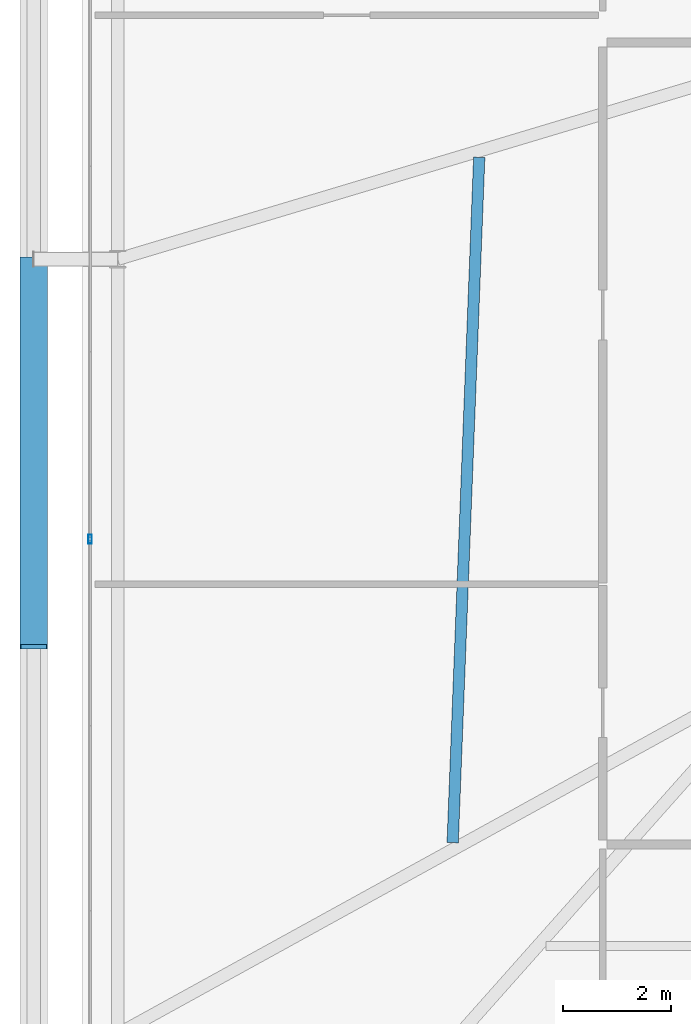
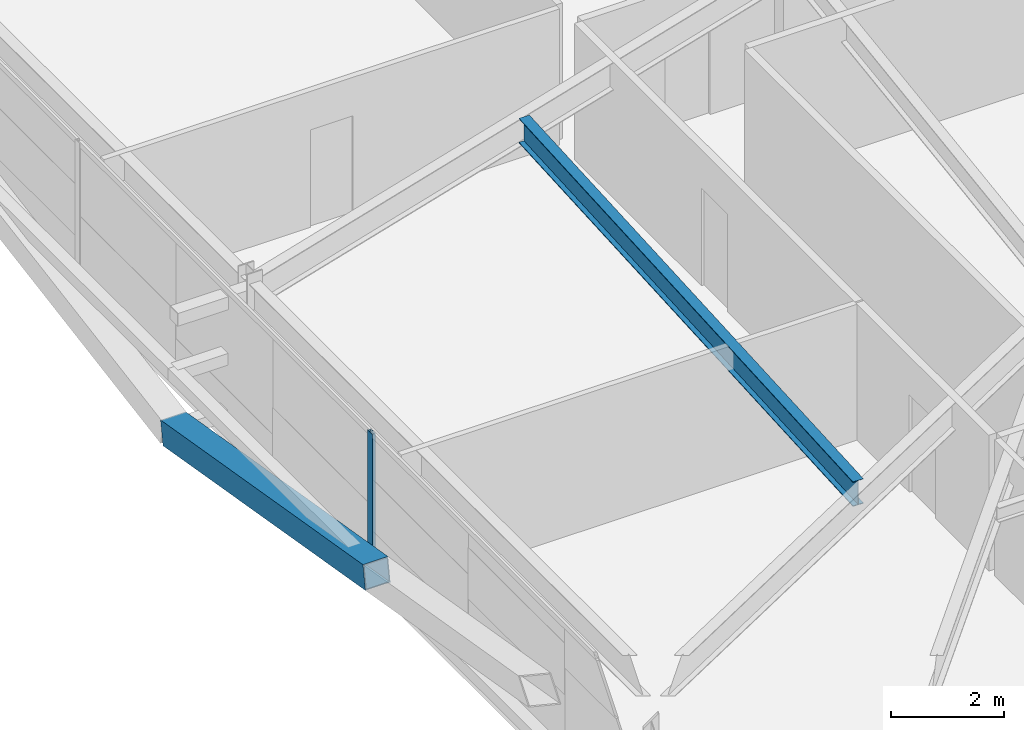
# One storey, part 8 of 44: 2 members, 1 beam, 1 element without a shape of its own.
"""IFC4 building model written with IfcOpenShell, lengths in metres."""

from ifc_helpers import new_model, si_unit, direction, frame, origin, origin_2d, place, context, subcontext, project, spatial, hollow_rectangle, i_section, extrude, source, transform, mapped, material, layer, layer_set, material_profile, profile_set, type_object, element, aggregate, save


model = new_model("IFC4")

# Units and contexts
model_context = context("Model", 3, precision=1e-05, world=origin(), true_north=direction((0.0, 1.0)))
body_context = subcontext(model_context, "Body", "Model", "MODEL_VIEW")
ifc_project = project(units=[si_unit("LENGTHUNIT", "METRE"), si_unit("AREAUNIT", "SQUARE_METRE"), si_unit("VOLUMEUNIT", "CUBIC_METRE"), si_unit("PLANEANGLEUNIT", "RADIAN"), si_unit("MASSUNIT", "GRAM", prefix="KILO")], contexts=[model_context])

# Site, building, storey
site_placement = place(None, origin())
site = spatial("IfcSite", under=ifc_project, at=site_placement, CompositionType="ELEMENT")
building_placement = place(site_placement, origin())
building = spatial("IfcBuilding", under=site, at=building_placement, Name="Taldren Reach Tower", CompositionType="ELEMENT")
storey_placement = place(building_placement, frame((0.0, 0.0, 38.85009765625)))
storey = spatial("IfcBuildingStorey", under=building, at=storey_placement, Name="L11", CompositionType="ELEMENT", Elevation=38.85009765625)

# Beam
ifc_material_1 = material(Name="Steel Gr 350 (350PLUS)", Category="steel")
ifc_material_profile_1 = material_profile(ifc_material_1, i_section(OverallWidth=0.208984375, OverallDepth=0.532958984375, WebThickness=0.01025390625, FlangeThickness=0.015625, at=origin_2d()), Name="530UB92.4")
ifc_profile_set_1 = profile_set([ifc_material_profile_1], Name="Steel Gr 350 (350PLUS)")
beam_type = type_object("IfcBeamType", Name="BM-UB530A", PredefinedType="BEAM", material=ifc_profile_set_1)
shared_shape_1 = source(origin(), body_context, "Body", "SweptSolid", [
    extrude(i_section(OverallWidth=0.208984375, OverallDepth=0.532958984375, WebThickness=0.01025390625, FlangeThickness=0.015625, at=origin_2d()), origin(), (0.0, 0.0, 1.0), 12.65625),
])
beam_placement = place(storey_placement, frame((11.830078125, 9.23291015625, 2.663330078125), z_axis=(0.0387346395, 0.99924953225, 0.0), x_axis=(-0.99924953225, 0.0387346395, 0.0)))
element("IfcBeam", 1, at=beam_placement, inside=storey, type_object=beam_type, Name="Secondary floor beam B1 J6 L11", PredefinedType="BEAM", context=body_context, shape_type="MappedRepresentation", body=[
    mapped(shared_shape_1, transform((0.0, 0.0, 0.0), scale=1.0)),
])

# Member
ifc_material_2 = material(Name="Steel Gr 450 (C450L0)", Category="steel")
ifc_material_profile_2 = material_profile(ifc_material_2, hollow_rectangle(XDim=0.510009765625, YDim=0.510009765625, WallThickness=0.02001953125, at=origin_2d()), Name="510x510x20.0SHS")
ifc_profile_set_2 = profile_set([ifc_material_profile_2], Name="Steel Gr 450 (C450L0)")
member_type_1 = type_object("IfcMemberType", Name="MB-EXO508", PredefinedType="BRACE", material=ifc_profile_set_2)
shared_shape_2 = source(origin(), body_context, "Body", "SweptSolid", [
    extrude(hollow_rectangle(XDim=0.510009765625, YDim=0.510009765625, WallThickness=0.02001953125, at=origin_2d()), origin(), (0.0, 0.0, 1.0), 7.25244140625),
])
member_1_placement = place(storey_placement, frame((4.10009765625, 20.0, 0.219970703125), z_axis=(0.0, -0.985870415536, 0.167509772168), x_axis=(1.0, 0.0, 0.0)))
element("IfcMember", 2, at=member_1_placement, inside=storey, type_object=member_type_1, Name="Exoskeleton Diagrid Brace B1-W1 L11", PredefinedType="BRACE", context=body_context, shape_type="MappedRepresentation", body=[
    mapped(shared_shape_2, transform((0.0, 0.0, 0.0), scale=1.0)),
])

# Curtain wall, member
ifc_material_3 = material(Name="Aluminium and Low-E Glass Unitised System", Category="aluminium")
ifc_layer = layer(ifc_material_3, 0.159912109375)
ifc_layer_set = layer_set([ifc_layer], Name="Aluminium and Low-E Glass Unitised System")
curtain_wall_type = type_object("IfcCurtainWallType", Name="CW-SYS-2", PredefinedType="NOTDEFINED", material=ifc_layer_set)
curtain_wall_placement = place(storey_placement, origin())
curtain_wall = element("IfcCurtainWall", 3, at=curtain_wall_placement, inside=storey, type_object=curtain_wall_type, Name="Unitised curtain wall CW-L11-W", PredefinedType="NOTDEFINED")
ifc_material_4 = material(Name="Anodised Aluminium 6063-T6", Category="aluminium")
ifc_material_profile_3 = material_profile(ifc_material_4, hollow_rectangle(XDim=0.06494140625, YDim=0.1650390625, WallThickness=0.00390625, at=origin_2d()), Name="ALU-165x65x4RHS")
ifc_profile_set_3 = profile_set([ifc_material_profile_3], Name="Anodised Aluminium 6063-T6")
member_type_2 = type_object("IfcMemberType", Name="CW-MUL-165", PredefinedType="MULLION", material=ifc_profile_set_3)
shared_shape_3 = source(origin(), body_context, "Body", "SweptSolid", [
    extrude(hollow_rectangle(XDim=0.06494140625, YDim=0.1650390625, WallThickness=0.00390625, at=origin_2d()), origin(), (0.0, 0.0, 1.0), 2.929931640625),
])
member_2_placement = place(storey_placement, frame((5.139892578125, 14.833251953125, 0.0), z_axis=(0.0, 0.0, 1.0), x_axis=(1.0, 0.0, 0.0)))
member_2 = element("IfcMember", 4, at=member_2_placement, type_object=member_type_2, Name="CW-2 mullion 3", PredefinedType="MULLION", context=body_context, shape_type="MappedRepresentation", body=[
    mapped(shared_shape_3, transform((0.0, 0.0, 0.0), scale=1.0)),
])
aggregate(curtain_wall, [member_2])

save(model, "model.ifc")
